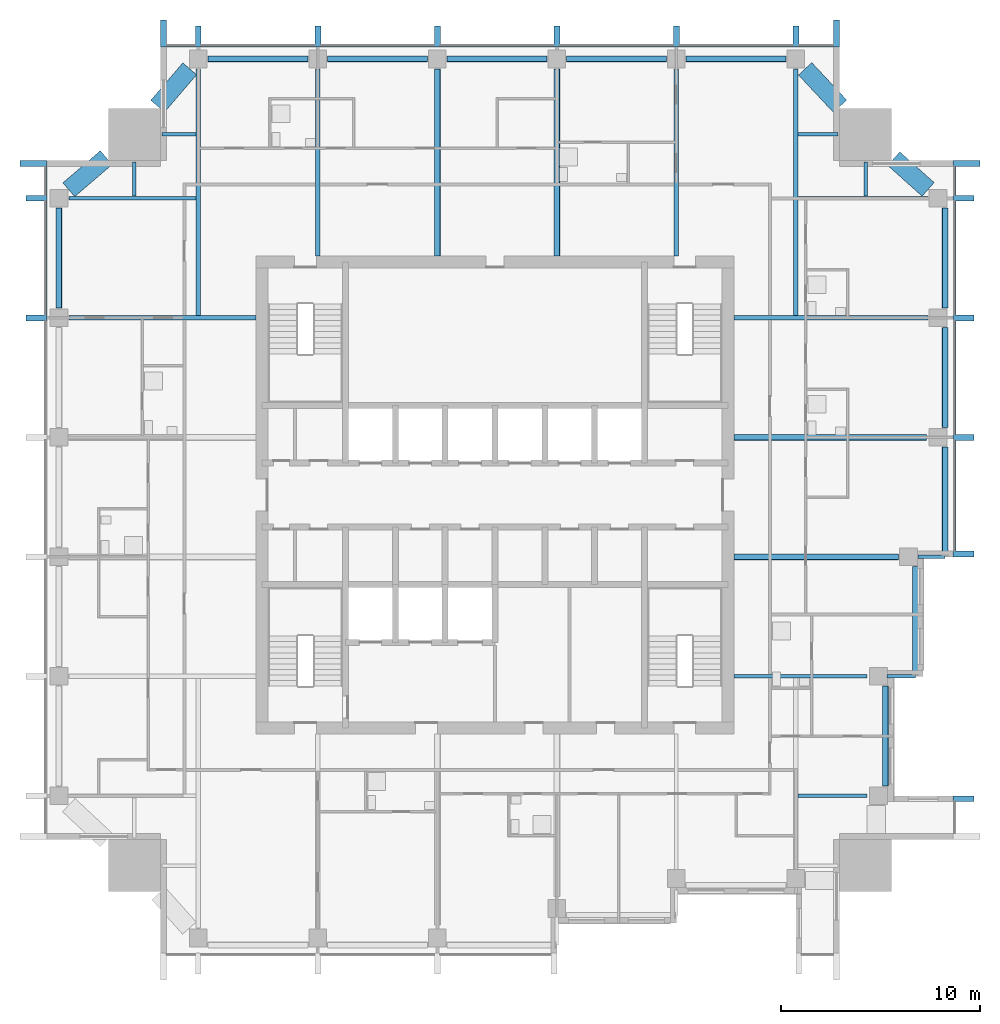
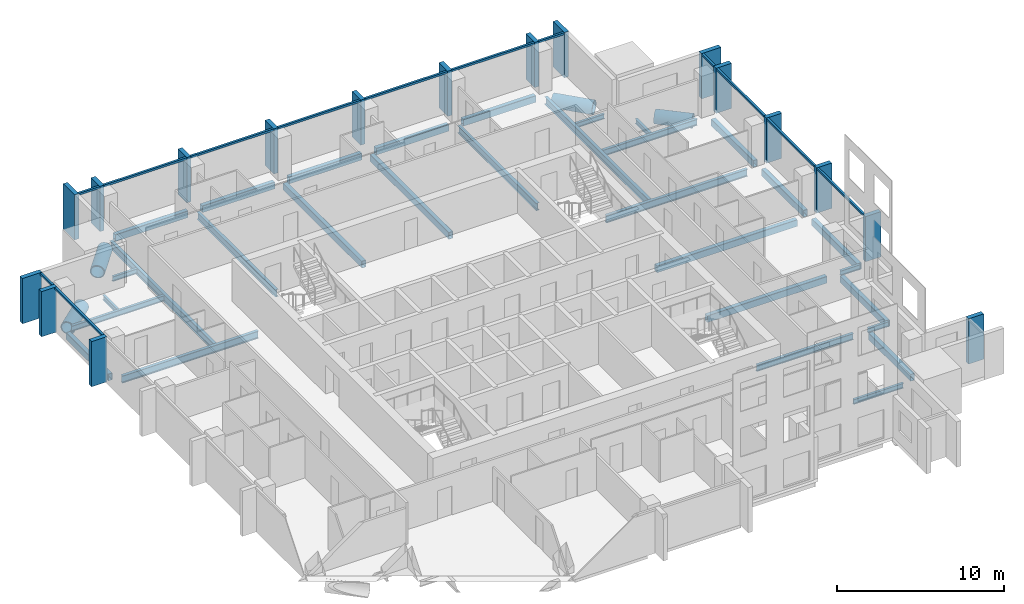
# One storey, part 2 of 12: 35 beams, 30 members, 4 elements without a shape of their own.
"""IFC4 building model written with IfcOpenShell, lengths in metres."""

from ifc_helpers import new_model, si_unit, direction, frame, origin, origin_2d, place, context, subcontext, project, spatial, rectangle, hollow_rectangle, hollow_circle, i_section, extrude, material, material_profile, profile_set, type_object, element, aggregate, save


model = new_model("IFC4")

# Units and contexts
model_context = context("Model", 3, precision=1e-05, world=origin(), true_north=direction((0.0, 1.0)))
body_context = subcontext(model_context, "Body", "Model", "MODEL_VIEW")
ifc_project = project(units=[si_unit("LENGTHUNIT", "METRE"), si_unit("AREAUNIT", "SQUARE_METRE"), si_unit("VOLUMEUNIT", "CUBIC_METRE"), si_unit("PLANEANGLEUNIT", "RADIAN"), si_unit("MASSUNIT", "GRAM", prefix="KILO")], contexts=[model_context])

# Site, building, storey
site_placement = place(None, origin())
site = spatial("IfcSite", under=ifc_project, at=site_placement, CompositionType="ELEMENT")
building_placement = place(site_placement, origin())
building = spatial("IfcBuilding", under=site, at=building_placement, Name="Amberfall Residences", CompositionType="ELEMENT")
storey_placement = place(building_placement, frame((0.0, 0.0, 187.0)))
storey = spatial("IfcBuildingStorey", under=building, at=storey_placement, Name="L49", CompositionType="ELEMENT", Elevation=187.0)

# Beams
ifc_material_1 = material(Name="Steel S355", Category="steel")
ifc_material_profile_1 = material_profile(ifc_material_1, hollow_circle(Radius=0.457275390625, WallThickness=0.06005859375, at=origin_2d()), Name="CHS 914.4x60")
ifc_profile_set_1 = profile_set([ifc_material_profile_1], Name="Steel S355")
beam_type_1 = type_object("IfcBeamType", Name="Belt truss chord BT CHS 914.4x60", PredefinedType="BEAM", material=ifc_profile_set_1)
beam_1_placement = place(storey_placement, frame((91.8271484375, 65.019287109375, -0.707275390625), z_axis=(-0.683155497856, 0.730272939215, 0.0), x_axis=(-0.730272939215, -0.683155497856, 0.0)))
element("IfcBeam", 1, at=beam_1_placement, inside=storey, type_object=beam_type_1, Name="Belt truss chord BT BT2 L49 53", PredefinedType="BEAM", context=body_context, shape_type="SweptSolid", body=[
    extrude(hollow_circle(Radius=0.457275390625, WallThickness=0.06005859375, at=origin_2d()), origin(), (0.0, 0.0, 1.0), 2.5751953125),
])
beam_2_placement = place(storey_placement, frame((94.51953125, 62.386962890625, -0.707275390625), z_axis=(0.746087307992, -0.665848127469, 0.0), x_axis=(0.665848127469, 0.746087307992, 0.0)))
element("IfcBeam", 2, at=beam_2_placement, inside=storey, type_object=beam_type_1, Name="Belt truss chord BT BT2 L49 54", PredefinedType="BEAM", context=body_context, shape_type="SweptSolid", body=[
    extrude(hollow_circle(Radius=0.457275390625, WallThickness=0.06005859375, at=origin_2d()), origin(), (0.0, 0.0, 1.0), 2.3154296875),
])
for number, where, z_axis, x_axis, name in (
    (3, (57.562255859375, 65.01953125, -0.707275390625), (0.650352660601, 0.759632422194, 0.0), (-0.759632422194, 0.650352660601, 0.0), "Belt truss chord BT BT2 L49 55"),
    (4, (54.98046875, 62.437744140625, -0.707275390625), (-0.759632422194, -0.650352660601, 0.0), (0.650352660601, -0.759632422194, 0.0), "Belt truss chord BT BT2 L49 56"),
):
    element("IfcBeam", number, at=place(storey_placement, frame(where, z_axis=z_axis, x_axis=x_axis)), inside=storey, type_object=beam_type_1, Name=name, PredefinedType="BEAM", context=body_context, shape_type="SweptSolid", body=[
        extrude(hollow_circle(Radius=0.457275390625, WallThickness=0.06005859375, at=origin_2d()), origin(), (0.0, 0.0, 1.0), 2.475341796875),
    ])
ifc_material_profile_2 = material_profile(ifc_material_1, hollow_rectangle(XDim=0.300048828125, YDim=0.5, WallThickness=0.01611328125, InnerFilletRadius=0.01611328125, OuterFilletRadius=0.02392578125, at=origin_2d()), Name="RHS 500x300x16")
ifc_profile_set_2 = profile_set([ifc_material_profile_2], Name="Steel S355")
beam_type_2 = type_object("IfcBeamType", Name="Belt truss chord BT RHS 500x300x16", PredefinedType="BEAM", material=ifc_profile_set_2)
beam_3_placement = place(storey_placement, frame((94.10009765625, 30.89990234375, -0.5), z_axis=(0.0, 1.0, 0.0), x_axis=(-1.0, 0.0, 0.0)))
element("IfcBeam", 5, at=beam_3_placement, inside=storey, type_object=beam_type_2, Name="Belt truss chord BT BT1 L49 14", PredefinedType="BEAM", context=body_context, shape_type="SweptSolid", body=[
    extrude(hollow_rectangle(XDim=0.300048828125, YDim=0.5, WallThickness=0.01611328125, InnerFilletRadius=0.01611328125, OuterFilletRadius=0.02392578125, at=origin_2d()), origin(), (0.0, 0.0, 1.0), 5.0),
])
for number, where, z_axis, x_axis, name in (
    (6, (95.60009765625, 36.47998046875, -0.5), (0.0, 1.0, 0.0), (-1.0, 0.0, 0.0), "Belt truss chord BT BT1 L49 15"),
    (7, (97.10009765625, 42.47998046875, -0.5), (0.0, 1.0, 0.0), (-1.0, 0.0, 0.0), "Belt truss chord BT BT1 L49 16"),
):
    element("IfcBeam", number, at=place(storey_placement, frame(where, z_axis=z_axis, x_axis=x_axis)), inside=storey, type_object=beam_type_2, Name=name, PredefinedType="BEAM", context=body_context, shape_type="SweptSolid", body=[
        extrude(hollow_rectangle(XDim=0.300048828125, YDim=0.5, WallThickness=0.01611328125, InnerFilletRadius=0.01611328125, OuterFilletRadius=0.02392578125, at=origin_2d()), origin(), (0.0, 0.0, 1.0), 5.419921875),
    ])
for number, where, z_axis, x_axis, name in (
    (8, (97.10009765625, 48.89990234375, -0.5), (0.0, 1.0, 0.0), (-1.0, 0.0, 0.0), "Belt truss chord BT BT1 L49 17"),
    (9, (97.10009765625, 54.89990234375, -0.5), (0.0, 1.0, 0.0), (-1.0, 0.0, 0.0), "Belt truss chord BT BT1 L49 18"),
    (10, (60.10009765625, 67.39990234375, -0.5), (1.0, 0.0, 0.0), (0.0, 1.0, 0.0), "Belt truss chord BT BT1 L49 27"),
    (11, (66.10009765625, 67.39990234375, -0.5), (1.0, 0.0, 0.0), (0.0, 1.0, 0.0), "Belt truss chord BT BT1 L49 28"),
    (12, (72.10009765625, 67.39990234375, -0.5), (1.0, 0.0, 0.0), (0.0, 1.0, 0.0), "Belt truss chord BT BT1 L49 29"),
    (13, (78.10009765625, 67.39990234375, -0.5), (1.0, 0.0, 0.0), (0.0, 1.0, 0.0), "Belt truss chord BT BT1 L49 30"),
    (14, (84.10009765625, 67.39990234375, -0.5), (1.0, 0.0, 0.0), (0.0, 1.0, 0.0), "Belt truss chord BT BT1 L49 31"),
    (15, (52.60009765625, 54.89990234375, -0.5), (0.0, 1.0, 0.0), (-1.0, 0.0, 0.0), "Belt truss chord BT BT1 L49 42"),
):
    element("IfcBeam", number, at=place(storey_placement, frame(where, z_axis=z_axis, x_axis=x_axis)), inside=storey, type_object=beam_type_2, Name=name, PredefinedType="BEAM", context=body_context, shape_type="SweptSolid", body=[
        extrude(hollow_rectangle(XDim=0.300048828125, YDim=0.5, WallThickness=0.01611328125, InnerFilletRadius=0.01611328125, OuterFilletRadius=0.02392578125, at=origin_2d()), origin(), (0.0, 0.0, 1.0), 5.0),
    ])

# Curtain wall, members
ifc_material_2 = material(Name="Bronze anodised aluminium and glass", Category="aluminium")
curtain_wall_type = type_object("IfcCurtainWallType", Name="Curtain wall CW1 tower unit", PredefinedType="USERDEFINED", material=ifc_material_2)
curtain_wall_1_placement = place(storey_placement, origin())
curtain_wall_1 = element("IfcCurtainWall", 16, at=curtain_wall_1_placement, inside=storey, type_object=curtain_wall_type, Name="Curtain wall L49 E E7", ObjectType="UNITISED CURTAIN WALL", PredefinedType="USERDEFINED")
ifc_material_3 = material(Name="Bronze anodised aluminium", Category="aluminium")
ifc_material_profile_3 = material_profile(ifc_material_3, rectangle(XDim=0.14990234375, YDim=0.14990234375, at=origin_2d()), Name="CW1 transom 150 x 150 bronze")
ifc_profile_set_3 = profile_set([ifc_material_profile_3], Name="Bronze anodised aluminium")
member_type_1 = type_object("IfcMemberType", Name="CW1 transom 150 x 150 bronze", PredefinedType="USERDEFINED", material=ifc_profile_set_3)
member_1_placement = place(storey_placement, frame((97.574951171875, 42.699951171875, 2.97509765625), z_axis=(0.0, 1.0, 0.0), x_axis=(-1.0, 0.0, 0.0)))
member_1 = element("IfcMember", 17, at=member_1_placement, type_object=member_type_1, Name="CW1 transom 1.1", ObjectType="TRANSOM", PredefinedType="USERDEFINED", context=body_context, shape_type="SweptSolid", body=[
    extrude(rectangle(XDim=0.14990234375, YDim=0.14990234375, at=origin_2d()), origin(), (0.0, 0.0, 1.0), 5.550048828125),
])
member_2_placement = place(storey_placement, frame((97.574951171875, 48.550048828125, 2.97509765625), z_axis=(0.0, 1.0, 0.0), x_axis=(-1.0, 0.0, 0.0)))
member_2 = element("IfcMember", 18, at=member_2_placement, type_object=member_type_1, Name="CW1 transom 2.1", ObjectType="TRANSOM", PredefinedType="USERDEFINED", context=body_context, shape_type="SweptSolid", body=[
    extrude(rectangle(XDim=0.14990234375, YDim=0.14990234375, at=origin_2d()), origin(), (0.0, 0.0, 1.0), 5.699951171875),
])
member_3_placement = place(storey_placement, frame((97.574951171875, 54.550048828125, 2.97509765625), z_axis=(0.0, 1.0, 0.0), x_axis=(-1.0, 0.0, 0.0)))
member_3 = element("IfcMember", 19, at=member_3_placement, type_object=member_type_1, Name="CW1 transom 3.1", ObjectType="TRANSOM", PredefinedType="USERDEFINED", context=body_context, shape_type="SweptSolid", body=[
    extrude(rectangle(XDim=0.14990234375, YDim=0.14990234375, at=origin_2d()), origin(), (0.0, 0.0, 1.0), 5.699951171875),
])
member_4_placement = place(storey_placement, frame((97.574951171875, 60.550048828125, 2.97509765625), z_axis=(0.0, 1.0, 0.0), x_axis=(-1.0, 0.0, 0.0)))
member_4 = element("IfcMember", 20, at=member_4_placement, type_object=member_type_1, Name="CW1 transom 4.1", ObjectType="TRANSOM", PredefinedType="USERDEFINED", context=body_context, shape_type="SweptSolid", body=[
    extrude(rectangle(XDim=0.14990234375, YDim=0.14990234375, at=origin_2d()), origin(), (0.0, 0.0, 1.0), 1.449951171875),
])

curtain_wall_2_placement = place(storey_placement, origin())
curtain_wall_2 = element("IfcCurtainWall", 21, at=curtain_wall_2_placement, inside=storey, type_object=curtain_wall_type, Name="Curtain wall L49 N N1", ObjectType="UNITISED CURTAIN WALL", PredefinedType="USERDEFINED")
member_5_placement = place(storey_placement, frame((91.5, 68.074951171875, 2.97509765625), z_axis=(-1.0, 0.0, 0.0), x_axis=(0.0, -1.0, 0.0)))
member_5 = element("IfcMember", 22, at=member_5_placement, type_object=member_type_1, Name="CW1 transom 1.1", ObjectType="TRANSOM", PredefinedType="USERDEFINED", context=body_context, shape_type="SweptSolid", body=[
    extrude(rectangle(XDim=0.14990234375, YDim=0.14990234375, at=origin_2d()), origin(), (0.0, 0.0, 1.0), 1.75),
])
member_6_placement = place(storey_placement, frame((89.449951171875, 68.074951171875, 2.97509765625), z_axis=(-1.0, 0.0, 0.0), x_axis=(0.0, -1.0, 0.0)))
member_6 = element("IfcMember", 23, at=member_6_placement, type_object=member_type_1, Name="CW1 transom 2.1", ObjectType="TRANSOM", PredefinedType="USERDEFINED", context=body_context, shape_type="SweptSolid", body=[
    extrude(rectangle(XDim=0.14990234375, YDim=0.14990234375, at=origin_2d()), origin(), (0.0, 0.0, 1.0), 5.699951171875),
])
member_7_placement = place(storey_placement, frame((83.449951171875, 68.074951171875, 2.97509765625), z_axis=(-1.0, 0.0, 0.0), x_axis=(0.0, -1.0, 0.0)))
member_7 = element("IfcMember", 24, at=member_7_placement, type_object=member_type_1, Name="CW1 transom 3.1", ObjectType="TRANSOM", PredefinedType="USERDEFINED", context=body_context, shape_type="SweptSolid", body=[
    extrude(rectangle(XDim=0.14990234375, YDim=0.14990234375, at=origin_2d()), origin(), (0.0, 0.0, 1.0), 5.699951171875),
])
member_8_placement = place(storey_placement, frame((77.449951171875, 68.074951171875, 2.97509765625), z_axis=(-1.0, 0.0, 0.0), x_axis=(0.0, -1.0, 0.0)))
member_8 = element("IfcMember", 25, at=member_8_placement, type_object=member_type_1, Name="CW1 transom 4.1", ObjectType="TRANSOM", PredefinedType="USERDEFINED", context=body_context, shape_type="SweptSolid", body=[
    extrude(rectangle(XDim=0.14990234375, YDim=0.14990234375, at=origin_2d()), origin(), (0.0, 0.0, 1.0), 5.699951171875),
])
member_9_placement = place(storey_placement, frame((71.449951171875, 68.074951171875, 2.97509765625), z_axis=(-1.0, 0.0, 0.0), x_axis=(0.0, -1.0, 0.0)))
member_9 = element("IfcMember", 26, at=member_9_placement, type_object=member_type_1, Name="CW1 transom 5.1", ObjectType="TRANSOM", PredefinedType="USERDEFINED", context=body_context, shape_type="SweptSolid", body=[
    extrude(rectangle(XDim=0.14990234375, YDim=0.14990234375, at=origin_2d()), origin(), (0.0, 0.0, 1.0), 5.699951171875),
])
member_10_placement = place(storey_placement, frame((65.449951171875, 68.074951171875, 2.97509765625), z_axis=(-1.0, 0.0, 0.0), x_axis=(0.0, -1.0, 0.0)))
member_10 = element("IfcMember", 27, at=member_10_placement, type_object=member_type_1, Name="CW1 transom 6.1", ObjectType="TRANSOM", PredefinedType="USERDEFINED", context=body_context, shape_type="SweptSolid", body=[
    extrude(rectangle(XDim=0.14990234375, YDim=0.14990234375, at=origin_2d()), origin(), (0.0, 0.0, 1.0), 5.699951171875),
])
member_11_placement = place(storey_placement, frame((59.449951171875, 68.074951171875, 2.97509765625), z_axis=(-1.0, 0.0, 0.0), x_axis=(0.0, -1.0, 0.0)))
member_11 = element("IfcMember", 28, at=member_11_placement, type_object=member_type_1, Name="CW1 transom 7.1", ObjectType="TRANSOM", PredefinedType="USERDEFINED", context=body_context, shape_type="SweptSolid", body=[
    extrude(rectangle(XDim=0.14990234375, YDim=0.14990234375, at=origin_2d()), origin(), (0.0, 0.0, 1.0), 1.449951171875),
])

curtain_wall_3_placement = place(storey_placement, origin())
curtain_wall_3 = element("IfcCurtainWall", 29, at=curtain_wall_3_placement, inside=storey, type_object=curtain_wall_type, Name="Curtain wall L49 W W1", ObjectType="UNITISED CURTAIN WALL", PredefinedType="USERDEFINED")
member_12_placement = place(storey_placement, frame((51.925048828125, 62.0, 2.97509765625), z_axis=(0.0, -1.0, 0.0), x_axis=(1.0, 0.0, 0.0)))
member_12 = element("IfcMember", 30, at=member_12_placement, type_object=member_type_1, Name="CW1 transom 1.1", ObjectType="TRANSOM", PredefinedType="USERDEFINED", context=body_context, shape_type="SweptSolid", body=[
    extrude(rectangle(XDim=0.14990234375, YDim=0.14990234375, at=origin_2d()), origin(), (0.0, 0.0, 1.0), 1.449951171875),
])
member_13_placement = place(storey_placement, frame((51.925048828125, 60.25, 2.97509765625), z_axis=(0.0, -1.0, 0.0), x_axis=(1.0, 0.0, 0.0)))
member_13 = element("IfcMember", 31, at=member_13_placement, type_object=member_type_1, Name="CW1 transom 2.1", ObjectType="TRANSOM", PredefinedType="USERDEFINED", context=body_context, shape_type="SweptSolid", body=[
    extrude(rectangle(XDim=0.14990234375, YDim=0.14990234375, at=origin_2d()), origin(), (0.0, 0.0, 1.0), 5.699951171875),
])

# Beams
ifc_material_profile_4 = material_profile(ifc_material_1, i_section(OverallWidth=0.171142578125, OverallDepth=0.351318359375, WebThickness=0.007080078125, FlangeThickness=0.009765625, FilletRadius=0.01025390625, at=origin_2d()), Name="UB 356x171x45")
ifc_profile_set_4 = profile_set([ifc_material_profile_4], Name="Steel S355")
beam_type_3 = type_object("IfcBeamType", Name="Cantilever girder UB 356x171x45", PredefinedType="BEAM", material=ifc_profile_set_4)
beam_4_placement = place(storey_placement, frame((94.17822265625, 36.39990234375, -0.42578125), z_axis=(1.0, 0.0, 0.0), x_axis=(0.0, 1.0, 0.0)))
element("IfcBeam", 32, at=beam_4_placement, inside=storey, type_object=beam_type_3, Name="Cantilever girder B8 L49 19", PredefinedType="BEAM", context=body_context, shape_type="SweptSolid", body=[
    extrude(i_section(OverallWidth=0.171142578125, OverallDepth=0.351318359375, WebThickness=0.007080078125, FlangeThickness=0.009765625, FilletRadius=0.01025390625, at=origin_2d()), origin(), (0.0, 0.0, 1.0), 1.421875),
])
beam_5_placement = place(storey_placement, frame((95.7470703125, 42.39990234375, -0.42578125), z_axis=(1.0, 0.0, 0.0), x_axis=(0.0, 1.0, 0.0)))
element("IfcBeam", 33, at=beam_5_placement, inside=storey, type_object=beam_type_3, Name="Cantilever girder B8 L49 20", PredefinedType="BEAM", context=body_context, shape_type="SweptSolid", body=[
    extrude(i_section(OverallWidth=0.171142578125, OverallDepth=0.351318359375, WebThickness=0.007080078125, FlangeThickness=0.009765625, FilletRadius=0.01025390625, at=origin_2d()), origin(), (0.0, 0.0, 1.0), 1.35302734375),
])

# Member
ifc_material_profile_5 = material_profile(ifc_material_3, rectangle(XDim=1.35009765625, YDim=0.300048828125, at=origin_2d()), Name="Corner fin 300 x 1350 bronze")
ifc_profile_set_5 = profile_set([ifc_material_profile_5], Name="Bronze anodised aluminium")
member_type_2 = type_object("IfcMemberType", Name="Corner fin 300 x 1350 bronze", PredefinedType="MULLION", material=ifc_profile_set_5)
member_14_placement = place(storey_placement, frame((98.175048828125, 62.14990234375, -0.25), z_axis=(0.0, 0.0, 1.0), x_axis=(-1.0, 0.0, 0.0)))
member_14 = element("IfcMember", 34, at=member_14_placement, type_object=member_type_2, Name="CW FIN 5", PredefinedType="MULLION", context=body_context, shape_type="SweptSolid", body=[
    extrude(rectangle(XDim=1.35009765625, YDim=0.300048828125, at=origin_2d()), origin(), (0.0, 0.0, 1.0), 3.300048828125),
])

member_15_placement = place(storey_placement, frame((91.64990234375, 68.675048828125, -0.25), z_axis=(0.0, 0.0, 1.0), x_axis=(0.0, -1.0, 0.0)))
member_15 = element("IfcMember", 35, at=member_15_placement, type_object=member_type_2, Name="CW FIN 1", PredefinedType="MULLION", context=body_context, shape_type="SweptSolid", body=[
    extrude(rectangle(XDim=1.35009765625, YDim=0.300048828125, at=origin_2d()), origin(), (0.0, 0.0, 1.0), 3.300048828125),
])

member_16_placement = place(storey_placement, frame((57.85009765625, 68.675048828125, -0.25), z_axis=(0.0, 0.0, 1.0), x_axis=(0.0, -1.0, 0.0)))
member_16 = element("IfcMember", 36, at=member_16_placement, type_object=member_type_2, Name="CW FIN 8", PredefinedType="MULLION", context=body_context, shape_type="SweptSolid", body=[
    extrude(rectangle(XDim=1.35009765625, YDim=0.300048828125, at=origin_2d()), origin(), (0.0, 0.0, 1.0), 3.300048828125),
])

member_17_placement = place(storey_placement, frame((51.324951171875, 62.14990234375, -0.25), z_axis=(0.0, 0.0, 1.0), x_axis=(1.0, 0.0, 0.0)))
member_17 = element("IfcMember", 37, at=member_17_placement, type_object=member_type_2, Name="CW FIN 1", PredefinedType="MULLION", context=body_context, shape_type="SweptSolid", body=[
    extrude(rectangle(XDim=1.35009765625, YDim=0.300048828125, at=origin_2d()), origin(), (0.0, 0.0, 1.0), 3.300048828125),
])

# Curtain wall, member
curtain_wall_4_placement = place(storey_placement, origin())
curtain_wall_4 = element("IfcCurtainWall", 38, at=curtain_wall_4_placement, inside=storey, type_object=curtain_wall_type, Name="Curtain wall L49 E E1", ObjectType="UNITISED CURTAIN WALL", PredefinedType="USERDEFINED")
ifc_material_profile_6 = material_profile(ifc_material_3, rectangle(XDim=1.050048828125, YDim=0.300048828125, at=origin_2d()), Name="Fin 300 x 1050 bronze")
ifc_profile_set_6 = profile_set([ifc_material_profile_6], Name="Bronze anodised aluminium")
member_type_3 = type_object("IfcMemberType", Name="Fin 300 x 1050 bronze", PredefinedType="MULLION", material=ifc_profile_set_6)
member_18_placement = place(storey_placement, frame((98.02490234375, 30.25, -0.25), z_axis=(0.0, 0.0, 1.0), x_axis=(-1.0, 0.0, 0.0)))
member_18 = element("IfcMember", 39, at=member_18_placement, type_object=member_type_3, Name="CW FIN 2", PredefinedType="MULLION", context=body_context, shape_type="SweptSolid", body=[
    extrude(rectangle(XDim=1.050048828125, YDim=0.300048828125, at=origin_2d()), origin(), (0.0, 0.0, 1.0), 3.300048828125),
])
aggregate(curtain_wall_4, [member_18])

# Member
member_19_placement = place(storey_placement, frame((98.02490234375, 42.550048828125, -0.25), z_axis=(0.0, 0.0, 1.0), x_axis=(-1.0, 0.0, 0.0)))
member_19 = element("IfcMember", 40, at=member_19_placement, type_object=member_type_3, Name="CW FIN 1", PredefinedType="MULLION", context=body_context, shape_type="SweptSolid", body=[
    extrude(rectangle(XDim=1.050048828125, YDim=0.300048828125, at=origin_2d()), origin(), (0.0, 0.0, 1.0), 3.300048828125),
])

member_20_placement = place(storey_placement, frame((98.02490234375, 48.39990234375, -0.25), z_axis=(0.0, 0.0, 1.0), x_axis=(-1.0, 0.0, 0.0)))
member_20 = element("IfcMember", 41, at=member_20_placement, type_object=member_type_3, Name="CW FIN 2", PredefinedType="MULLION", context=body_context, shape_type="SweptSolid", body=[
    extrude(rectangle(XDim=1.050048828125, YDim=0.300048828125, at=origin_2d()), origin(), (0.0, 0.0, 1.0), 3.300048828125),
])

member_21_placement = place(storey_placement, frame((98.02490234375, 54.39990234375, -0.25), z_axis=(0.0, 0.0, 1.0), x_axis=(-1.0, 0.0, 0.0)))
member_21 = element("IfcMember", 42, at=member_21_placement, type_object=member_type_3, Name="CW FIN 3", PredefinedType="MULLION", context=body_context, shape_type="SweptSolid", body=[
    extrude(rectangle(XDim=1.050048828125, YDim=0.300048828125, at=origin_2d()), origin(), (0.0, 0.0, 1.0), 3.300048828125),
])

member_22_placement = place(storey_placement, frame((98.02490234375, 60.39990234375, -0.25), z_axis=(0.0, 0.0, 1.0), x_axis=(-1.0, 0.0, 0.0)))
member_22 = element("IfcMember", 43, at=member_22_placement, type_object=member_type_3, Name="CW FIN 4", PredefinedType="MULLION", context=body_context, shape_type="SweptSolid", body=[
    extrude(rectangle(XDim=1.050048828125, YDim=0.300048828125, at=origin_2d()), origin(), (0.0, 0.0, 1.0), 3.300048828125),
])

aggregate(curtain_wall_1, [member_19, member_20, member_21, member_22, member_14, member_1, member_2, member_3, member_4])

member_23_placement = place(storey_placement, frame((89.60009765625, 68.52490234375, -0.25), z_axis=(0.0, 0.0, 1.0), x_axis=(0.0, -1.0, 0.0)))
member_23 = element("IfcMember", 44, at=member_23_placement, type_object=member_type_3, Name="CW FIN 2", PredefinedType="MULLION", context=body_context, shape_type="SweptSolid", body=[
    extrude(rectangle(XDim=1.050048828125, YDim=0.300048828125, at=origin_2d()), origin(), (0.0, 0.0, 1.0), 3.300048828125),
])

member_24_placement = place(storey_placement, frame((83.60009765625, 68.52490234375, -0.25), z_axis=(0.0, 0.0, 1.0), x_axis=(0.0, -1.0, 0.0)))
member_24 = element("IfcMember", 45, at=member_24_placement, type_object=member_type_3, Name="CW FIN 3", PredefinedType="MULLION", context=body_context, shape_type="SweptSolid", body=[
    extrude(rectangle(XDim=1.050048828125, YDim=0.300048828125, at=origin_2d()), origin(), (0.0, 0.0, 1.0), 3.300048828125),
])

member_25_placement = place(storey_placement, frame((77.60009765625, 68.52490234375, -0.25), z_axis=(0.0, 0.0, 1.0), x_axis=(0.0, -1.0, 0.0)))
member_25 = element("IfcMember", 46, at=member_25_placement, type_object=member_type_3, Name="CW FIN 4", PredefinedType="MULLION", context=body_context, shape_type="SweptSolid", body=[
    extrude(rectangle(XDim=1.050048828125, YDim=0.300048828125, at=origin_2d()), origin(), (0.0, 0.0, 1.0), 3.300048828125),
])

member_26_placement = place(storey_placement, frame((71.60009765625, 68.52490234375, -0.25), z_axis=(0.0, 0.0, 1.0), x_axis=(0.0, -1.0, 0.0)))
member_26 = element("IfcMember", 47, at=member_26_placement, type_object=member_type_3, Name="CW FIN 5", PredefinedType="MULLION", context=body_context, shape_type="SweptSolid", body=[
    extrude(rectangle(XDim=1.050048828125, YDim=0.300048828125, at=origin_2d()), origin(), (0.0, 0.0, 1.0), 3.300048828125),
])

member_27_placement = place(storey_placement, frame((65.60009765625, 68.52490234375, -0.25), z_axis=(0.0, 0.0, 1.0), x_axis=(0.0, -1.0, 0.0)))
member_27 = element("IfcMember", 48, at=member_27_placement, type_object=member_type_3, Name="CW FIN 6", PredefinedType="MULLION", context=body_context, shape_type="SweptSolid", body=[
    extrude(rectangle(XDim=1.050048828125, YDim=0.300048828125, at=origin_2d()), origin(), (0.0, 0.0, 1.0), 3.300048828125),
])

member_28_placement = place(storey_placement, frame((59.60009765625, 68.52490234375, -0.25), z_axis=(0.0, 0.0, 1.0), x_axis=(0.0, -1.0, 0.0)))
member_28 = element("IfcMember", 49, at=member_28_placement, type_object=member_type_3, Name="CW FIN 7", PredefinedType="MULLION", context=body_context, shape_type="SweptSolid", body=[
    extrude(rectangle(XDim=1.050048828125, YDim=0.300048828125, at=origin_2d()), origin(), (0.0, 0.0, 1.0), 3.300048828125),
])

aggregate(curtain_wall_2, [member_15, member_23, member_24, member_25, member_26, member_27, member_28, member_16, member_5, member_6, member_7, member_8, member_9, member_10, member_11])

member_29_placement = place(storey_placement, frame((51.47509765625, 60.39990234375, -0.25), z_axis=(0.0, 0.0, 1.0), x_axis=(1.0, 0.0, 0.0)))
member_29 = element("IfcMember", 50, at=member_29_placement, type_object=member_type_3, Name="CW FIN 2", PredefinedType="MULLION", context=body_context, shape_type="SweptSolid", body=[
    extrude(rectangle(XDim=1.050048828125, YDim=0.300048828125, at=origin_2d()), origin(), (0.0, 0.0, 1.0), 3.300048828125),
])

member_30_placement = place(storey_placement, frame((51.47509765625, 54.39990234375, -0.25), z_axis=(0.0, 0.0, 1.0), x_axis=(1.0, 0.0, 0.0)))
member_30 = element("IfcMember", 51, at=member_30_placement, type_object=member_type_3, Name="CW FIN 3", PredefinedType="MULLION", context=body_context, shape_type="SweptSolid", body=[
    extrude(rectangle(XDim=1.050048828125, YDim=0.300048828125, at=origin_2d()), origin(), (0.0, 0.0, 1.0), 3.300048828125),
])

aggregate(curtain_wall_3, [member_17, member_29, member_30, member_12, member_13])

# Beams
ifc_material_profile_7 = material_profile(ifc_material_1, i_section(OverallWidth=0.171142578125, OverallDepth=0.351318359375, WebThickness=0.007080078125, FlangeThickness=0.009765625, FilletRadius=0.01025390625, at=origin_2d()), Name="UB 356x171x45")
ifc_profile_set_7 = profile_set([ifc_material_profile_7], Name="Steel S355")
beam_type_4 = type_object("IfcBeamType", Name="Floor girder UB 356x171x45", PredefinedType="BEAM", material=ifc_profile_set_7)
beam_6_placement = place(storey_placement, frame((93.1640625, 30.39990234375, -0.42578125), z_axis=(-1.0, 0.0, 0.0), x_axis=(0.0, -1.0, 0.0)))
element("IfcBeam", 52, at=beam_6_placement, inside=storey, type_object=beam_type_4, Name="Floor girder B11 L49 21", PredefinedType="BEAM", context=body_context, shape_type="SweptSolid", body=[
    extrude(i_section(OverallWidth=0.171142578125, OverallDepth=0.351318359375, WebThickness=0.007080078125, FlangeThickness=0.009765625, FilletRadius=0.01025390625, at=origin_2d()), origin(), (0.0, 0.0, 1.0), 3.444091796875),
])
ifc_material_profile_8 = material_profile(ifc_material_1, i_section(OverallWidth=0.177734375, OverallDepth=0.402587890625, WebThickness=0.0078125, FlangeThickness=0.010986328125, FilletRadius=0.01025390625, at=origin_2d()), Name="UB 406x178x54")
ifc_profile_set_8 = profile_set([ifc_material_profile_8], Name="Steel S355")
beam_type_5 = type_object("IfcBeamType", Name="Floor girder UB 406x178x54", PredefinedType="BEAM", material=ifc_profile_set_8)
beam_7_placement = place(storey_placement, frame((53.10009765625, 60.39990234375, -0.451416015625), z_axis=(1.0, 0.0, 0.0), x_axis=(0.0, 1.0, 0.0)))
element("IfcBeam", 53, at=beam_7_placement, inside=storey, type_object=beam_type_5, Name="Floor girder B4 L49 48", PredefinedType="BEAM", context=body_context, shape_type="SweptSolid", body=[
    extrude(i_section(OverallWidth=0.177734375, OverallDepth=0.402587890625, WebThickness=0.0078125, FlangeThickness=0.010986328125, FilletRadius=0.01025390625, at=origin_2d()), origin(), (0.0, 0.0, 1.0), 6.3798828125),
])
ifc_material_profile_9 = material_profile(ifc_material_1, i_section(OverallWidth=0.19140625, OverallDepth=0.4599609375, WebThickness=0.010009765625, FlangeThickness=0.01611328125, FilletRadius=0.01025390625, at=origin_2d()), Name="UB 457x191x82")
ifc_profile_set_9 = profile_set([ifc_material_profile_9], Name="Steel S355")
beam_type_6 = type_object("IfcBeamType", Name="Floor girder UB 457x191x82", PredefinedType="BEAM", material=ifc_profile_set_9)
beam_8_placement = place(storey_placement, frame((93.1640625, 36.39990234375, -0.47998046875), z_axis=(-1.0, 0.0, 0.0), x_axis=(0.0, -1.0, 0.0)))
element("IfcBeam", 54, at=beam_8_placement, inside=storey, type_object=beam_type_6, Name="Floor girder B10 L49 22", PredefinedType="BEAM", context=body_context, shape_type="SweptSolid", body=[
    extrude(i_section(OverallWidth=0.19140625, OverallDepth=0.4599609375, WebThickness=0.010009765625, FlangeThickness=0.01611328125, FilletRadius=0.01025390625, at=origin_2d()), origin(), (0.0, 0.0, 1.0), 6.6640625),
])
beam_9_placement = place(storey_placement, frame((96.2470703125, 60.39990234375, -0.47998046875), z_axis=(-1.0, 0.0, 0.0), x_axis=(0.0, -1.0, 0.0)))
element("IfcBeam", 55, at=beam_9_placement, inside=storey, type_object=beam_type_6, Name="Floor girder B10 L49 26", PredefinedType="BEAM", context=body_context, shape_type="SweptSolid", body=[
    extrude(i_section(OverallWidth=0.19140625, OverallDepth=0.4599609375, WebThickness=0.010009765625, FlangeThickness=0.01611328125, FilletRadius=0.01025390625, at=origin_2d()), origin(), (0.0, 0.0, 1.0), 6.527099609375),
])
ifc_material_profile_10 = material_profile(ifc_material_1, i_section(OverallWidth=0.210693359375, OverallDepth=0.53955078125, WebThickness=0.01171875, FlangeThickness=0.018798828125, FilletRadius=0.0126953125, at=origin_2d()), Name="UB 533x210x109")
ifc_profile_set_10 = profile_set([ifc_material_profile_10], Name="Steel S355")
beam_type_7 = type_object("IfcBeamType", Name="Floor girder UB 533x210x109", PredefinedType="BEAM", material=ifc_profile_set_10)
for number, where, z_axis, x_axis, name in (
    (56, (59.60009765625, 66.89990234375, -0.519775390625), (0.0, -1.0, 0.0), (1.0, 0.0, 0.0), "Floor girder B2 L49 32"),
    (57, (89.60009765625, 66.89990234375, -0.519775390625), (0.0, -1.0, 0.0), (1.0, 0.0, 0.0), "Floor girder B2 L49 37"),
):
    element("IfcBeam", number, at=place(storey_placement, frame(where, z_axis=z_axis, x_axis=x_axis)), inside=storey, type_object=beam_type_7, Name=name, PredefinedType="BEAM", context=body_context, shape_type="SweptSolid", body=[
        extrude(i_section(OverallWidth=0.210693359375, OverallDepth=0.53955078125, WebThickness=0.01171875, FlangeThickness=0.018798828125, FilletRadius=0.0126953125, at=origin_2d()), origin(), (0.0, 0.0, 1.0), 12.400390625),
    ])
ifc_material_profile_11 = material_profile(ifc_material_1, i_section(OverallWidth=0.209228515625, OverallDepth=0.533203125, WebThickness=0.010009765625, FlangeThickness=0.015625, FilletRadius=0.0126953125, at=origin_2d()), Name="UB 533x210x92")
ifc_profile_set_11 = profile_set([ifc_material_profile_11], Name="Steel S355")
beam_type_8 = type_object("IfcBeamType", Name="Floor girder UB 533x210x92", PredefinedType="BEAM", material=ifc_profile_set_11)
beam_10_placement = place(storey_placement, frame((96.2470703125, 54.39990234375, -0.5166015625), z_axis=(-1.0, 0.0, 0.0), x_axis=(0.0, -1.0, 0.0)))
element("IfcBeam", 58, at=beam_10_placement, inside=storey, type_object=beam_type_8, Name="Floor girder B3 L49 25", PredefinedType="BEAM", context=body_context, shape_type="SweptSolid", body=[
    extrude(i_section(OverallWidth=0.209228515625, OverallDepth=0.533203125, WebThickness=0.010009765625, FlangeThickness=0.015625, FilletRadius=0.0126953125, at=origin_2d()), origin(), (0.0, 0.0, 1.0), 9.7470703125),
])
for number, where, z_axis, x_axis, name in (
    (59, (65.60009765625, 66.89990234375, -0.5166015625), (0.0, -1.0, 0.0), (1.0, 0.0, 0.0), "Floor girder B3 L49 33"),
    (60, (83.60009765625, 66.89990234375, -0.5166015625), (0.0, -1.0, 0.0), (1.0, 0.0, 0.0), "Floor girder B3 L49 36"),
    (61, (53.10009765625, 54.39990234375, -0.5166015625), (1.0, 0.0, 0.0), (0.0, 1.0, 0.0), "Floor girder B3 L49 47"),
):
    element("IfcBeam", number, at=place(storey_placement, frame(where, z_axis=z_axis, x_axis=x_axis)), inside=storey, type_object=beam_type_8, Name=name, PredefinedType="BEAM", context=body_context, shape_type="SweptSolid", body=[
        extrude(i_section(OverallWidth=0.209228515625, OverallDepth=0.533203125, WebThickness=0.010009765625, FlangeThickness=0.015625, FilletRadius=0.0126953125, at=origin_2d()), origin(), (0.0, 0.0, 1.0), 9.39990234375),
    ])
ifc_material_profile_12 = material_profile(ifc_material_1, i_section(OverallWidth=0.171142578125, OverallDepth=0.351318359375, WebThickness=0.007080078125, FlangeThickness=0.009765625, FilletRadius=0.01025390625, at=origin_2d()), Name="UB 356x171x45")
ifc_profile_set_12 = profile_set([ifc_material_profile_12], Name="Steel S355")
beam_type_9 = type_object("IfcBeamType", Name="Link beam UB 356x171x45", PredefinedType="BEAM", material=ifc_profile_set_12)
beam_11_placement = place(storey_placement, frame((91.71630859375, 63.619384765625, -0.42578125), z_axis=(-1.0, 0.0, 0.0), x_axis=(0.0, -1.0, 0.0)))
element("IfcBeam", 62, at=beam_11_placement, inside=storey, type_object=beam_type_9, Name="Link beam B7 L49 60", PredefinedType="BEAM", context=body_context, shape_type="SweptSolid", body=[
    extrude(i_section(OverallWidth=0.171142578125, OverallDepth=0.351318359375, WebThickness=0.007080078125, FlangeThickness=0.009765625, FilletRadius=0.01025390625, at=origin_2d()), origin(), (0.0, 0.0, 1.0), 2.01123046875),
])
for number, where, z_axis, x_axis, name in (
    (63, (93.119384765625, 62.21630859375, -0.42578125), (0.0, -1.0, 0.0), (1.0, 0.0, 0.0), "Link beam B7 L49 61"),
    (64, (57.78369140625, 63.619384765625, -0.42578125), (1.0, 0.0, 0.0), (0.0, 1.0, 0.0), "Link beam B7 L49 62"),
    (65, (56.380615234375, 62.21630859375, -0.42578125), (0.0, -1.0, 0.0), (1.0, 0.0, 0.0), "Link beam B7 L49 63"),
):
    element("IfcBeam", number, at=place(storey_placement, frame(where, z_axis=z_axis, x_axis=x_axis)), inside=storey, type_object=beam_type_9, Name=name, PredefinedType="BEAM", context=body_context, shape_type="SweptSolid", body=[
        extrude(i_section(OverallWidth=0.171142578125, OverallDepth=0.351318359375, WebThickness=0.007080078125, FlangeThickness=0.009765625, FilletRadius=0.01025390625, at=origin_2d()), origin(), (0.0, 0.0, 1.0), 1.711181640625),
    ])
ifc_material_profile_13 = material_profile(ifc_material_1, hollow_rectangle(XDim=0.300048828125, YDim=0.5, WallThickness=0.01611328125, InnerFilletRadius=0.01611328125, OuterFilletRadius=0.02392578125, at=origin_2d()), Name="RHS 500x300x16")
ifc_profile_set_13 = profile_set([ifc_material_profile_13], Name="Steel S355")
beam_type_10 = type_object("IfcBeamType", Name="Outrigger truss chord OT RHS 500x300x16", PredefinedType="BEAM", material=ifc_profile_set_13)
beam_12_placement = place(storey_placement, frame((94.7470703125, 42.39990234375, -0.5), z_axis=(-1.0, 0.0, 0.0), x_axis=(0.0, -1.0, 0.0)))
element("IfcBeam", 66, at=beam_12_placement, inside=storey, type_object=beam_type_10, Name="Outrigger truss chord OT OT1 L49 23", PredefinedType="BEAM", context=body_context, shape_type="SweptSolid", body=[
    extrude(hollow_rectangle(XDim=0.300048828125, YDim=0.5, WallThickness=0.01611328125, InnerFilletRadius=0.01611328125, OuterFilletRadius=0.02392578125, at=origin_2d()), origin(), (0.0, 0.0, 1.0), 8.2470703125),
])
beam_13_placement = place(storey_placement, frame((96.1640625, 48.39990234375, -0.5), z_axis=(-1.0, 0.0, 0.0), x_axis=(0.0, -1.0, 0.0)))
element("IfcBeam", 67, at=beam_13_placement, inside=storey, type_object=beam_type_10, Name="Outrigger truss chord OT OT1 L49 24", PredefinedType="BEAM", context=body_context, shape_type="SweptSolid", body=[
    extrude(hollow_rectangle(XDim=0.300048828125, YDim=0.5, WallThickness=0.01611328125, InnerFilletRadius=0.01611328125, OuterFilletRadius=0.02392578125, at=origin_2d()), origin(), (0.0, 0.0, 1.0), 9.6640625),
])
for number, where, z_axis, x_axis, name in (
    (68, (71.60009765625, 66.89990234375, -0.5), (0.0, -1.0, 0.0), (1.0, 0.0, 0.0), "Outrigger truss chord OT OT1 L49 34"),
    (69, (77.60009765625, 66.89990234375, -0.5), (0.0, -1.0, 0.0), (1.0, 0.0, 0.0), "Outrigger truss chord OT OT1 L49 35"),
):
    element("IfcBeam", number, at=place(storey_placement, frame(where, z_axis=z_axis, x_axis=x_axis)), inside=storey, type_object=beam_type_10, Name=name, PredefinedType="BEAM", context=body_context, shape_type="SweptSolid", body=[
        extrude(hollow_rectangle(XDim=0.300048828125, YDim=0.5, WallThickness=0.01611328125, InnerFilletRadius=0.01611328125, OuterFilletRadius=0.02392578125, at=origin_2d()), origin(), (0.0, 0.0, 1.0), 9.39990234375),
    ])

save(model, "model.ifc")
